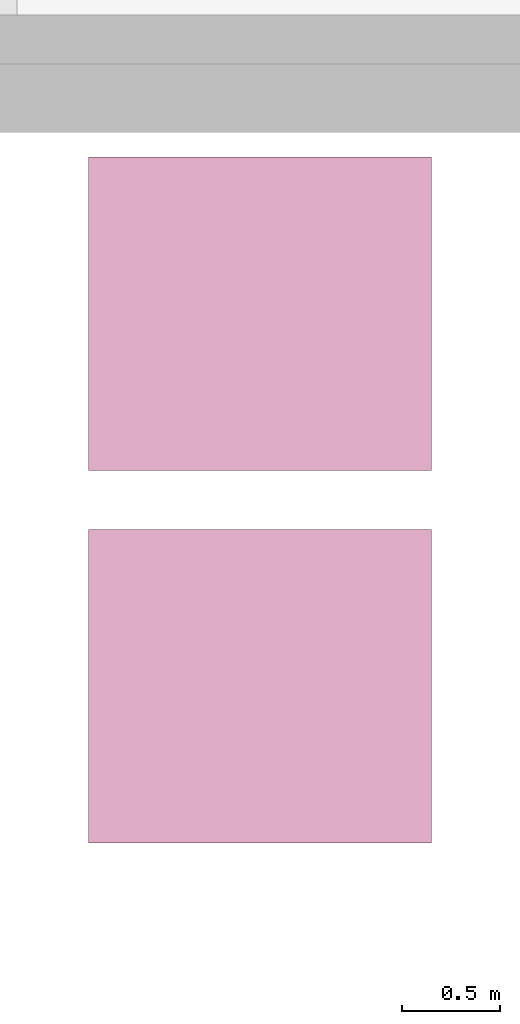
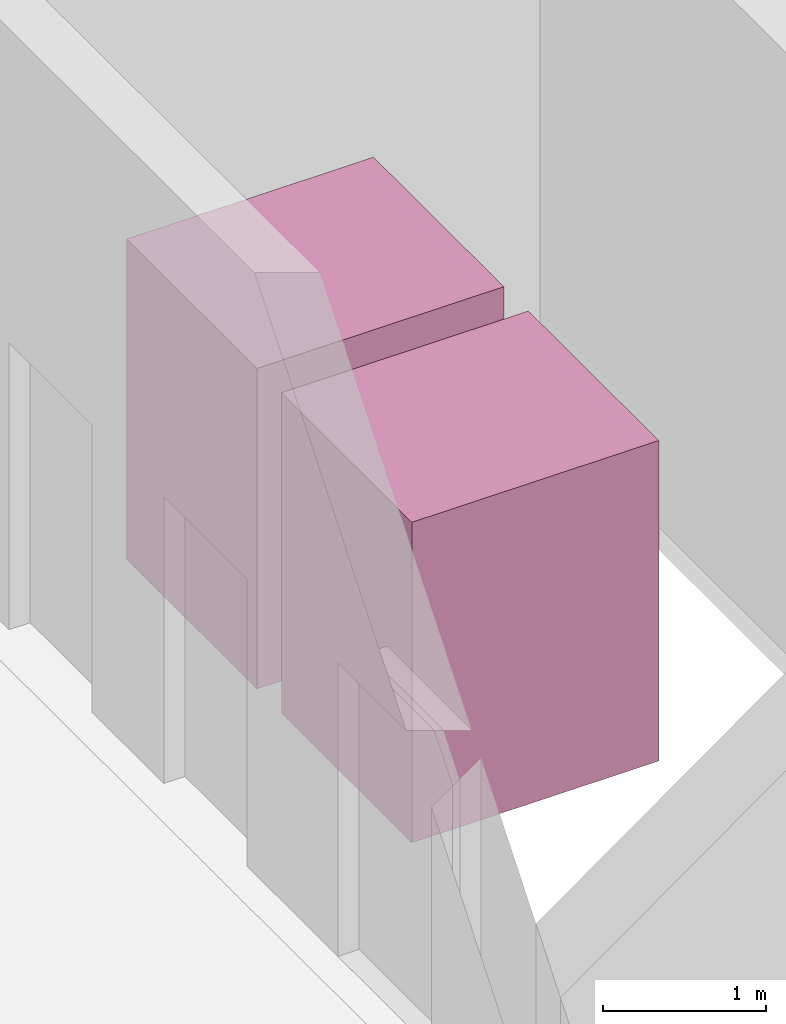
# One storey, part 88 of 88: 2 transport elements.
"""IFC4 building model written with IfcOpenShell, lengths in metres."""

from ifc_helpers import new_model, si_unit, derived_unit, direction, frame, origin, origin_2d, place, context, subcontext, project, spatial, rectangle, extrude, material, type_object, element, save


model = new_model("IFC4")

# Units and contexts
model_context = context("Model", 3, precision=1e-05, world=origin(), true_north=direction((0.0, 1.0)))
body_context = subcontext(model_context, "Body", "Model", "MODEL_VIEW")
ifc_project = project(units=[si_unit("LENGTHUNIT", "METRE"), si_unit("AREAUNIT", "SQUARE_METRE"), si_unit("VOLUMEUNIT", "CUBIC_METRE"), si_unit("PLANEANGLEUNIT", "RADIAN"), si_unit("MASSUNIT", "GRAM", prefix="KILO"), derived_unit("THERMALTRANSMITTANCEUNIT", [(si_unit("POWERUNIT", "WATT"), 1), (si_unit("LENGTHUNIT", "METRE"), -2), (si_unit("THERMODYNAMICTEMPERATUREUNIT", "KELVIN"), -1)])], contexts=[model_context])

# Site, building, storey
site_placement = place(None, origin())
site = spatial("IfcSite", under=ifc_project, at=site_placement, CompositionType="ELEMENT")
building_placement = place(site_placement, origin())
building = spatial("IfcBuilding", under=site, at=building_placement, Name="Braskholm Square Health Centre", CompositionType="ELEMENT")
storey_placement = place(building_placement, origin())
storey = spatial("IfcBuildingStorey", under=building, at=storey_placement, Name="L01", CompositionType="ELEMENT", Elevation=0.0)

# Transport elements
ifc_material = material(Name="Architectural bronze anodised aluminium", Category="aluminium")
transport_element_type = type_object("IfcTransportElementType", Name="PassengerElevatorCar1600", PredefinedType="ELEVATOR", material=ifc_material)
for number, where, z_axis, x_axis, name in (
    (1, (158.14990234375, 60.60009765625, 0.0), (0.0, 0.0, 1.0), (1.0, 0.0, 0.0), "Elevator EL-05"),
    (2, (158.14990234375, 62.5, 0.0), (0.0, 0.0, 1.0), (1.0, 0.0, 0.0), "Elevator EL-06"),
):
    element("IfcTransportElement", number, at=place(storey_placement, frame(where, z_axis=z_axis, x_axis=x_axis)), inside=storey, type_object=transport_element_type, Name=name, PredefinedType="ELEVATOR", context=body_context, shape_type="SweptSolid", body=[
        extrude(rectangle(XDim=1.75, YDim=1.60009765625, at=origin_2d()), origin(), (0.0, 0.0, 1.0), 2.39990234375),
    ])

save(model, "model.ifc")
